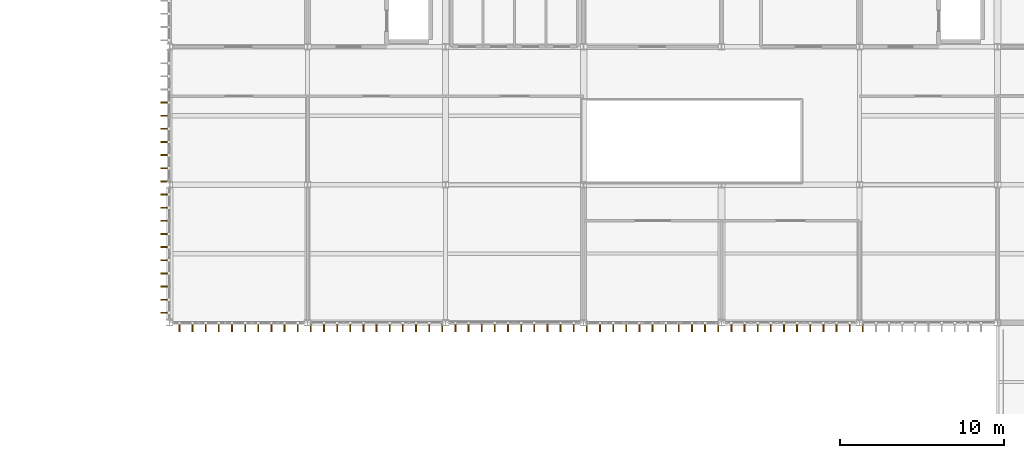
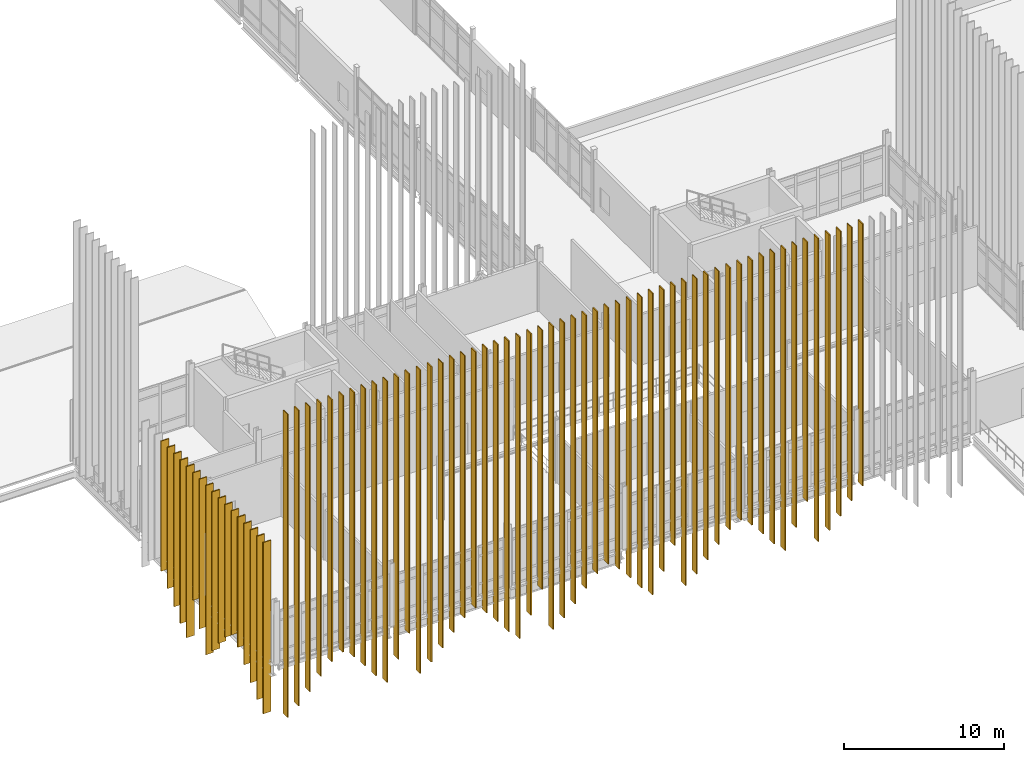
# One storey, part 138 of 153: 70 coverings.
"""IFC4 building model written with IfcOpenShell, lengths in metres."""

from ifc_helpers import new_model, si_unit, direction, frame, origin, origin_2d, place, context, subcontext, project, spatial, rectangle, extrude, material, layer, layer_set, type_object, element, save


model = new_model("IFC4")

# Units and contexts
model_context = context("Model", 3, precision=1e-05, world=origin(), true_north=direction((0.0, 1.0)))
body_context = subcontext(model_context, "Body", "Model", "MODEL_VIEW")
ifc_project = project(units=[si_unit("LENGTHUNIT", "METRE"), si_unit("AREAUNIT", "SQUARE_METRE"), si_unit("VOLUMEUNIT", "CUBIC_METRE"), si_unit("PLANEANGLEUNIT", "RADIAN"), si_unit("MASSUNIT", "GRAM", prefix="KILO")], contexts=[model_context])

# Site, building, storey
site_placement = place(None, origin())
site = spatial("IfcSite", under=ifc_project, at=site_placement, CompositionType="ELEMENT")
building_placement = place(site_placement, origin())
building = spatial("IfcBuilding", under=site, at=building_placement, Name="Calvrana Isthmian Art Gallery", CompositionType="ELEMENT")
storey_placement = place(building_placement, frame((0.0, 0.0, 10.199951171875)))
storey = spatial("IfcBuildingStorey", under=building, at=storey_placement, Name="L02", CompositionType="ELEMENT", Elevation=10.199951171875)

# Coverings
ifc_material = material(Name="Anodized bronze aluminium 6063-T6", Category="aluminium")
ifc_layer = layer(ifc_material, 0.074951171875, Name="Anodized bronze aluminium 6063-T6")
ifc_layer_set = layer_set([ifc_layer], Name="Anodized bronze aluminium 6063-T6")
covering_type = type_object("IfcCoveringType", Name="COV-FIN-550", PredefinedType="CLADDING", material=ifc_layer_set)
covering_1_placement = place(storey_placement, frame((22.199951171875, 21.326904296875, -4.0498046875), z_axis=(0.0, 0.0, 1.0), x_axis=(1.0, 0.0, 0.0)))
element("IfcCovering", 1, at=covering_1_placement, inside=storey, type_object=covering_type, Name="Anodized bronze vertical solar fin FN-001", PredefinedType="CLADDING", context=body_context, shape_type="SweptSolid", body=[
    extrude(rectangle(XDim=0.074951171875, YDim=0.550048828125, at=origin_2d()), origin(), (0.0, 0.0, 1.0), 23.199951171875),
])
covering_2_placement = place(storey_placement, frame((23.0, 21.326904296875, -3.449951171875), z_axis=(0.0, 0.0, 1.0), x_axis=(1.0, 0.0, 0.0)))
element("IfcCovering", 2, at=covering_2_placement, inside=storey, type_object=covering_type, Name="Anodized bronze vertical solar fin FN-002", PredefinedType="CLADDING", context=body_context, shape_type="SweptSolid", body=[
    extrude(rectangle(XDim=0.074951171875, YDim=0.550048828125, at=origin_2d()), origin(), (0.0, 0.0, 1.0), 22.60009765625),
])
covering_3_placement = place(storey_placement, frame((23.800048828125, 21.326904296875, -2.64990234375), z_axis=(0.0, 0.0, 1.0), x_axis=(1.0, 0.0, 0.0)))
element("IfcCovering", 3, at=covering_3_placement, inside=storey, type_object=covering_type, Name="Anodized bronze vertical solar fin FN-003", PredefinedType="CLADDING", context=body_context, shape_type="SweptSolid", body=[
    extrude(rectangle(XDim=0.074951171875, YDim=0.550048828125, at=origin_2d()), origin(), (0.0, 0.0, 1.0), 21.800048828125),
])
covering_4_placement = place(storey_placement, frame((24.60009765625, 21.326904296875, -1.75), z_axis=(0.0, 0.0, 1.0), x_axis=(1.0, 0.0, 0.0)))
element("IfcCovering", 4, at=covering_4_placement, inside=storey, type_object=covering_type, Name="Anodized bronze vertical solar fin FN-004", PredefinedType="CLADDING", context=body_context, shape_type="SweptSolid", body=[
    extrude(rectangle(XDim=0.074951171875, YDim=0.550048828125, at=origin_2d()), origin(), (0.0, 0.0, 1.0), 20.89990234375),
])
covering_5_placement = place(storey_placement, frame((25.39990234375, 21.326904296875, -0.89990234375), z_axis=(0.0, 0.0, 1.0), x_axis=(1.0, 0.0, 0.0)))
element("IfcCovering", 5, at=covering_5_placement, inside=storey, type_object=covering_type, Name="Anodized bronze vertical solar fin FN-005", PredefinedType="CLADDING", context=body_context, shape_type="SweptSolid", body=[
    extrude(rectangle(XDim=0.074951171875, YDim=0.550048828125, at=origin_2d()), origin(), (0.0, 0.0, 1.0), 20.050048828125),
])
covering_6_placement = place(storey_placement, frame((26.199951171875, 21.326904296875, -0.449951171875), z_axis=(0.0, 0.0, 1.0), x_axis=(1.0, 0.0, 0.0)))
element("IfcCovering", 6, at=covering_6_placement, inside=storey, type_object=covering_type, Name="Anodized bronze vertical solar fin FN-006", PredefinedType="CLADDING", context=body_context, shape_type="SweptSolid", body=[
    extrude(rectangle(XDim=0.074951171875, YDim=0.550048828125, at=origin_2d()), origin(), (0.0, 0.0, 1.0), 19.60009765625),
])
covering_7_placement = place(storey_placement, frame((27.0, 21.326904296875, -1.099853515625), z_axis=(0.0, 0.0, 1.0), x_axis=(1.0, 0.0, 0.0)))
element("IfcCovering", 7, at=covering_7_placement, inside=storey, type_object=covering_type, Name="Anodized bronze vertical solar fin FN-007", PredefinedType="CLADDING", context=body_context, shape_type="SweptSolid", body=[
    extrude(rectangle(XDim=0.074951171875, YDim=0.550048828125, at=origin_2d()), origin(), (0.0, 0.0, 1.0), 20.25),
])
covering_8_placement = place(storey_placement, frame((27.800048828125, 21.326904296875, -2.0498046875), z_axis=(0.0, 0.0, 1.0), x_axis=(1.0, 0.0, 0.0)))
element("IfcCovering", 8, at=covering_8_placement, inside=storey, type_object=covering_type, Name="Anodized bronze vertical solar fin FN-008", PredefinedType="CLADDING", context=body_context, shape_type="SweptSolid", body=[
    extrude(rectangle(XDim=0.074951171875, YDim=0.550048828125, at=origin_2d()), origin(), (0.0, 0.0, 1.0), 21.199951171875),
])
covering_9_placement = place(storey_placement, frame((28.60009765625, 21.326904296875, -3.099853515625), z_axis=(0.0, 0.0, 1.0), x_axis=(1.0, 0.0, 0.0)))
element("IfcCovering", 9, at=covering_9_placement, inside=storey, type_object=covering_type, Name="Anodized bronze vertical solar fin FN-009", PredefinedType="CLADDING", context=body_context, shape_type="SweptSolid", body=[
    extrude(rectangle(XDim=0.074951171875, YDim=0.550048828125, at=origin_2d()), origin(), (0.0, 0.0, 1.0), 22.25),
])
covering_10_placement = place(storey_placement, frame((29.39990234375, 21.326904296875, -3.89990234375), z_axis=(0.0, 0.0, 1.0), x_axis=(1.0, 0.0, 0.0)))
element("IfcCovering", 10, at=covering_10_placement, inside=storey, type_object=covering_type, Name="Anodized bronze vertical solar fin FN-010", PredefinedType="CLADDING", context=body_context, shape_type="SweptSolid", body=[
    extrude(rectangle(XDim=0.074951171875, YDim=0.550048828125, at=origin_2d()), origin(), (0.0, 0.0, 1.0), 23.050048828125),
])
covering_11_placement = place(storey_placement, frame((30.199951171875, 21.326904296875, -2.39990234375), z_axis=(0.0, 0.0, 1.0), x_axis=(1.0, 0.0, 0.0)))
element("IfcCovering", 11, at=covering_11_placement, inside=storey, type_object=covering_type, Name="Anodized bronze vertical solar fin FN-011", PredefinedType="CLADDING", context=body_context, shape_type="SweptSolid", body=[
    extrude(rectangle(XDim=0.074951171875, YDim=0.550048828125, at=origin_2d()), origin(), (0.0, 0.0, 1.0), 21.550048828125),
])
covering_12_placement = place(storey_placement, frame((31.0, 21.326904296875, -0.699951171875), z_axis=(0.0, 0.0, 1.0), x_axis=(1.0, 0.0, 0.0)))
element("IfcCovering", 12, at=covering_12_placement, inside=storey, type_object=covering_type, Name="Anodized bronze vertical solar fin FN-012", PredefinedType="CLADDING", context=body_context, shape_type="SweptSolid", body=[
    extrude(rectangle(XDim=0.074951171875, YDim=0.550048828125, at=origin_2d()), origin(), (0.0, 0.0, 1.0), 19.85009765625),
])
covering_13_placement = place(storey_placement, frame((31.800048828125, 21.326904296875, -4.0498046875), z_axis=(0.0, 0.0, 1.0), x_axis=(1.0, 0.0, 0.0)))
element("IfcCovering", 13, at=covering_13_placement, inside=storey, type_object=covering_type, Name="Anodized bronze vertical solar fin FN-013", PredefinedType="CLADDING", context=body_context, shape_type="SweptSolid", body=[
    extrude(rectangle(XDim=0.074951171875, YDim=0.550048828125, at=origin_2d()), origin(), (0.0, 0.0, 1.0), 23.199951171875),
])
covering_14_placement = place(storey_placement, frame((32.60009765625, 21.326904296875, -3.449951171875), z_axis=(0.0, 0.0, 1.0), x_axis=(1.0, 0.0, 0.0)))
element("IfcCovering", 14, at=covering_14_placement, inside=storey, type_object=covering_type, Name="Anodized bronze vertical solar fin FN-014", PredefinedType="CLADDING", context=body_context, shape_type="SweptSolid", body=[
    extrude(rectangle(XDim=0.074951171875, YDim=0.550048828125, at=origin_2d()), origin(), (0.0, 0.0, 1.0), 22.60009765625),
])
covering_15_placement = place(storey_placement, frame((33.39990234375, 21.326904296875, -2.64990234375), z_axis=(0.0, 0.0, 1.0), x_axis=(1.0, 0.0, 0.0)))
element("IfcCovering", 15, at=covering_15_placement, inside=storey, type_object=covering_type, Name="Anodized bronze vertical solar fin FN-015", PredefinedType="CLADDING", context=body_context, shape_type="SweptSolid", body=[
    extrude(rectangle(XDim=0.074951171875, YDim=0.550048828125, at=origin_2d()), origin(), (0.0, 0.0, 1.0), 21.800048828125),
])
covering_16_placement = place(storey_placement, frame((34.199951171875, 21.326904296875, -1.75), z_axis=(0.0, 0.0, 1.0), x_axis=(1.0, 0.0, 0.0)))
element("IfcCovering", 16, at=covering_16_placement, inside=storey, type_object=covering_type, Name="Anodized bronze vertical solar fin FN-016", PredefinedType="CLADDING", context=body_context, shape_type="SweptSolid", body=[
    extrude(rectangle(XDim=0.074951171875, YDim=0.550048828125, at=origin_2d()), origin(), (0.0, 0.0, 1.0), 20.89990234375),
])
covering_17_placement = place(storey_placement, frame((35.0, 21.326904296875, -0.89990234375), z_axis=(0.0, 0.0, 1.0), x_axis=(1.0, 0.0, 0.0)))
element("IfcCovering", 17, at=covering_17_placement, inside=storey, type_object=covering_type, Name="Anodized bronze vertical solar fin FN-017", PredefinedType="CLADDING", context=body_context, shape_type="SweptSolid", body=[
    extrude(rectangle(XDim=0.074951171875, YDim=0.550048828125, at=origin_2d()), origin(), (0.0, 0.0, 1.0), 20.050048828125),
])
covering_18_placement = place(storey_placement, frame((35.800048828125, 21.326904296875, -0.449951171875), z_axis=(0.0, 0.0, 1.0), x_axis=(1.0, 0.0, 0.0)))
element("IfcCovering", 18, at=covering_18_placement, inside=storey, type_object=covering_type, Name="Anodized bronze vertical solar fin FN-018", PredefinedType="CLADDING", context=body_context, shape_type="SweptSolid", body=[
    extrude(rectangle(XDim=0.074951171875, YDim=0.550048828125, at=origin_2d()), origin(), (0.0, 0.0, 1.0), 19.60009765625),
])
covering_19_placement = place(storey_placement, frame((36.60009765625, 21.326904296875, -1.099853515625), z_axis=(0.0, 0.0, 1.0), x_axis=(1.0, 0.0, 0.0)))
element("IfcCovering", 19, at=covering_19_placement, inside=storey, type_object=covering_type, Name="Anodized bronze vertical solar fin FN-019", PredefinedType="CLADDING", context=body_context, shape_type="SweptSolid", body=[
    extrude(rectangle(XDim=0.074951171875, YDim=0.550048828125, at=origin_2d()), origin(), (0.0, 0.0, 1.0), 20.25),
])
covering_20_placement = place(storey_placement, frame((37.39990234375, 21.326904296875, -2.0498046875), z_axis=(0.0, 0.0, 1.0), x_axis=(1.0, 0.0, 0.0)))
element("IfcCovering", 20, at=covering_20_placement, inside=storey, type_object=covering_type, Name="Anodized bronze vertical solar fin FN-020", PredefinedType="CLADDING", context=body_context, shape_type="SweptSolid", body=[
    extrude(rectangle(XDim=0.074951171875, YDim=0.550048828125, at=origin_2d()), origin(), (0.0, 0.0, 1.0), 21.199951171875),
])
covering_21_placement = place(storey_placement, frame((38.199951171875, 21.326904296875, -3.099853515625), z_axis=(0.0, 0.0, 1.0), x_axis=(1.0, 0.0, 0.0)))
element("IfcCovering", 21, at=covering_21_placement, inside=storey, type_object=covering_type, Name="Anodized bronze vertical solar fin FN-021", PredefinedType="CLADDING", context=body_context, shape_type="SweptSolid", body=[
    extrude(rectangle(XDim=0.074951171875, YDim=0.550048828125, at=origin_2d()), origin(), (0.0, 0.0, 1.0), 22.25),
])
covering_22_placement = place(storey_placement, frame((39.0, 21.326904296875, -3.89990234375), z_axis=(0.0, 0.0, 1.0), x_axis=(1.0, 0.0, 0.0)))
element("IfcCovering", 22, at=covering_22_placement, inside=storey, type_object=covering_type, Name="Anodized bronze vertical solar fin FN-022", PredefinedType="CLADDING", context=body_context, shape_type="SweptSolid", body=[
    extrude(rectangle(XDim=0.074951171875, YDim=0.550048828125, at=origin_2d()), origin(), (0.0, 0.0, 1.0), 23.050048828125),
])
covering_23_placement = place(storey_placement, frame((39.800048828125, 21.326904296875, -2.39990234375), z_axis=(0.0, 0.0, 1.0), x_axis=(1.0, 0.0, 0.0)))
element("IfcCovering", 23, at=covering_23_placement, inside=storey, type_object=covering_type, Name="Anodized bronze vertical solar fin FN-023", PredefinedType="CLADDING", context=body_context, shape_type="SweptSolid", body=[
    extrude(rectangle(XDim=0.074951171875, YDim=0.550048828125, at=origin_2d()), origin(), (0.0, 0.0, 1.0), 21.550048828125),
])
covering_24_placement = place(storey_placement, frame((40.60009765625, 21.326904296875, -0.699951171875), z_axis=(0.0, 0.0, 1.0), x_axis=(1.0, 0.0, 0.0)))
element("IfcCovering", 24, at=covering_24_placement, inside=storey, type_object=covering_type, Name="Anodized bronze vertical solar fin FN-024", PredefinedType="CLADDING", context=body_context, shape_type="SweptSolid", body=[
    extrude(rectangle(XDim=0.074951171875, YDim=0.550048828125, at=origin_2d()), origin(), (0.0, 0.0, 1.0), 19.85009765625),
])
covering_25_placement = place(storey_placement, frame((41.39990234375, 21.326904296875, -4.0498046875), z_axis=(0.0, 0.0, 1.0), x_axis=(1.0, 0.0, 0.0)))
element("IfcCovering", 25, at=covering_25_placement, inside=storey, type_object=covering_type, Name="Anodized bronze vertical solar fin FN-025", PredefinedType="CLADDING", context=body_context, shape_type="SweptSolid", body=[
    extrude(rectangle(XDim=0.074951171875, YDim=0.550048828125, at=origin_2d()), origin(), (0.0, 0.0, 1.0), 23.199951171875),
])
covering_26_placement = place(storey_placement, frame((42.199951171875, 21.326904296875, -3.449951171875), z_axis=(0.0, 0.0, 1.0), x_axis=(1.0, 0.0, 0.0)))
element("IfcCovering", 26, at=covering_26_placement, inside=storey, type_object=covering_type, Name="Anodized bronze vertical solar fin FN-026", PredefinedType="CLADDING", context=body_context, shape_type="SweptSolid", body=[
    extrude(rectangle(XDim=0.074951171875, YDim=0.550048828125, at=origin_2d()), origin(), (0.0, 0.0, 1.0), 22.60009765625),
])
covering_27_placement = place(storey_placement, frame((43.0, 21.326904296875, -2.64990234375), z_axis=(0.0, 0.0, 1.0), x_axis=(1.0, 0.0, 0.0)))
element("IfcCovering", 27, at=covering_27_placement, inside=storey, type_object=covering_type, Name="Anodized bronze vertical solar fin FN-027", PredefinedType="CLADDING", context=body_context, shape_type="SweptSolid", body=[
    extrude(rectangle(XDim=0.074951171875, YDim=0.550048828125, at=origin_2d()), origin(), (0.0, 0.0, 1.0), 21.800048828125),
])
covering_28_placement = place(storey_placement, frame((43.800048828125, 21.326904296875, -1.75), z_axis=(0.0, 0.0, 1.0), x_axis=(1.0, 0.0, 0.0)))
element("IfcCovering", 28, at=covering_28_placement, inside=storey, type_object=covering_type, Name="Anodized bronze vertical solar fin FN-028", PredefinedType="CLADDING", context=body_context, shape_type="SweptSolid", body=[
    extrude(rectangle(XDim=0.074951171875, YDim=0.550048828125, at=origin_2d()), origin(), (0.0, 0.0, 1.0), 20.89990234375),
])
covering_29_placement = place(storey_placement, frame((44.60009765625, 21.326904296875, -0.89990234375), z_axis=(0.0, 0.0, 1.0), x_axis=(1.0, 0.0, 0.0)))
element("IfcCovering", 29, at=covering_29_placement, inside=storey, type_object=covering_type, Name="Anodized bronze vertical solar fin FN-029", PredefinedType="CLADDING", context=body_context, shape_type="SweptSolid", body=[
    extrude(rectangle(XDim=0.074951171875, YDim=0.550048828125, at=origin_2d()), origin(), (0.0, 0.0, 1.0), 20.050048828125),
])
covering_30_placement = place(storey_placement, frame((45.39990234375, 21.326904296875, -0.449951171875), z_axis=(0.0, 0.0, 1.0), x_axis=(1.0, 0.0, 0.0)))
element("IfcCovering", 30, at=covering_30_placement, inside=storey, type_object=covering_type, Name="Anodized bronze vertical solar fin FN-030", PredefinedType="CLADDING", context=body_context, shape_type="SweptSolid", body=[
    extrude(rectangle(XDim=0.074951171875, YDim=0.550048828125, at=origin_2d()), origin(), (0.0, 0.0, 1.0), 19.60009765625),
])
covering_31_placement = place(storey_placement, frame((46.199951171875, 21.326904296875, -1.099853515625), z_axis=(0.0, 0.0, 1.0), x_axis=(1.0, 0.0, 0.0)))
element("IfcCovering", 31, at=covering_31_placement, inside=storey, type_object=covering_type, Name="Anodized bronze vertical solar fin FN-031", PredefinedType="CLADDING", context=body_context, shape_type="SweptSolid", body=[
    extrude(rectangle(XDim=0.074951171875, YDim=0.550048828125, at=origin_2d()), origin(), (0.0, 0.0, 1.0), 20.25),
])
covering_32_placement = place(storey_placement, frame((47.0, 21.326904296875, -2.0498046875), z_axis=(0.0, 0.0, 1.0), x_axis=(1.0, 0.0, 0.0)))
element("IfcCovering", 32, at=covering_32_placement, inside=storey, type_object=covering_type, Name="Anodized bronze vertical solar fin FN-032", PredefinedType="CLADDING", context=body_context, shape_type="SweptSolid", body=[
    extrude(rectangle(XDim=0.074951171875, YDim=0.550048828125, at=origin_2d()), origin(), (0.0, 0.0, 1.0), 21.199951171875),
])
covering_33_placement = place(storey_placement, frame((47.800048828125, 21.326904296875, -3.099853515625), z_axis=(0.0, 0.0, 1.0), x_axis=(1.0, 0.0, 0.0)))
element("IfcCovering", 33, at=covering_33_placement, inside=storey, type_object=covering_type, Name="Anodized bronze vertical solar fin FN-033", PredefinedType="CLADDING", context=body_context, shape_type="SweptSolid", body=[
    extrude(rectangle(XDim=0.074951171875, YDim=0.550048828125, at=origin_2d()), origin(), (0.0, 0.0, 1.0), 22.25),
])
covering_34_placement = place(storey_placement, frame((48.60009765625, 21.326904296875, -3.89990234375), z_axis=(0.0, 0.0, 1.0), x_axis=(1.0, 0.0, 0.0)))
element("IfcCovering", 34, at=covering_34_placement, inside=storey, type_object=covering_type, Name="Anodized bronze vertical solar fin FN-034", PredefinedType="CLADDING", context=body_context, shape_type="SweptSolid", body=[
    extrude(rectangle(XDim=0.074951171875, YDim=0.550048828125, at=origin_2d()), origin(), (0.0, 0.0, 1.0), 23.050048828125),
])
covering_35_placement = place(storey_placement, frame((49.39990234375, 21.326904296875, -2.39990234375), z_axis=(0.0, 0.0, 1.0), x_axis=(1.0, 0.0, 0.0)))
element("IfcCovering", 35, at=covering_35_placement, inside=storey, type_object=covering_type, Name="Anodized bronze vertical solar fin FN-035", PredefinedType="CLADDING", context=body_context, shape_type="SweptSolid", body=[
    extrude(rectangle(XDim=0.074951171875, YDim=0.550048828125, at=origin_2d()), origin(), (0.0, 0.0, 1.0), 21.550048828125),
])
covering_36_placement = place(storey_placement, frame((50.199951171875, 21.326904296875, -0.699951171875), z_axis=(0.0, 0.0, 1.0), x_axis=(1.0, 0.0, 0.0)))
element("IfcCovering", 36, at=covering_36_placement, inside=storey, type_object=covering_type, Name="Anodized bronze vertical solar fin FN-036", PredefinedType="CLADDING", context=body_context, shape_type="SweptSolid", body=[
    extrude(rectangle(XDim=0.074951171875, YDim=0.550048828125, at=origin_2d()), origin(), (0.0, 0.0, 1.0), 19.85009765625),
])
covering_37_placement = place(storey_placement, frame((51.0, 21.326904296875, -4.0498046875), z_axis=(0.0, 0.0, 1.0), x_axis=(1.0, 0.0, 0.0)))
element("IfcCovering", 37, at=covering_37_placement, inside=storey, type_object=covering_type, Name="Anodized bronze vertical solar fin FN-037", PredefinedType="CLADDING", context=body_context, shape_type="SweptSolid", body=[
    extrude(rectangle(XDim=0.074951171875, YDim=0.550048828125, at=origin_2d()), origin(), (0.0, 0.0, 1.0), 23.199951171875),
])
covering_38_placement = place(storey_placement, frame((51.800048828125, 21.326904296875, -3.449951171875), z_axis=(0.0, 0.0, 1.0), x_axis=(1.0, 0.0, 0.0)))
element("IfcCovering", 38, at=covering_38_placement, inside=storey, type_object=covering_type, Name="Anodized bronze vertical solar fin FN-038", PredefinedType="CLADDING", context=body_context, shape_type="SweptSolid", body=[
    extrude(rectangle(XDim=0.074951171875, YDim=0.550048828125, at=origin_2d()), origin(), (0.0, 0.0, 1.0), 22.60009765625),
])
covering_39_placement = place(storey_placement, frame((52.60009765625, 21.326904296875, -2.64990234375), z_axis=(0.0, 0.0, 1.0), x_axis=(1.0, 0.0, 0.0)))
element("IfcCovering", 39, at=covering_39_placement, inside=storey, type_object=covering_type, Name="Anodized bronze vertical solar fin FN-039", PredefinedType="CLADDING", context=body_context, shape_type="SweptSolid", body=[
    extrude(rectangle(XDim=0.074951171875, YDim=0.550048828125, at=origin_2d()), origin(), (0.0, 0.0, 1.0), 21.800048828125),
])
covering_40_placement = place(storey_placement, frame((53.39990234375, 21.326904296875, -1.75), z_axis=(0.0, 0.0, 1.0), x_axis=(1.0, 0.0, 0.0)))
element("IfcCovering", 40, at=covering_40_placement, inside=storey, type_object=covering_type, Name="Anodized bronze vertical solar fin FN-040", PredefinedType="CLADDING", context=body_context, shape_type="SweptSolid", body=[
    extrude(rectangle(XDim=0.074951171875, YDim=0.550048828125, at=origin_2d()), origin(), (0.0, 0.0, 1.0), 20.89990234375),
])
covering_41_placement = place(storey_placement, frame((54.199951171875, 21.326904296875, -0.89990234375), z_axis=(0.0, 0.0, 1.0), x_axis=(1.0, 0.0, 0.0)))
element("IfcCovering", 41, at=covering_41_placement, inside=storey, type_object=covering_type, Name="Anodized bronze vertical solar fin FN-041", PredefinedType="CLADDING", context=body_context, shape_type="SweptSolid", body=[
    extrude(rectangle(XDim=0.074951171875, YDim=0.550048828125, at=origin_2d()), origin(), (0.0, 0.0, 1.0), 20.050048828125),
])
covering_42_placement = place(storey_placement, frame((55.0, 21.326904296875, -0.449951171875), z_axis=(0.0, 0.0, 1.0), x_axis=(1.0, 0.0, 0.0)))
element("IfcCovering", 42, at=covering_42_placement, inside=storey, type_object=covering_type, Name="Anodized bronze vertical solar fin FN-042", PredefinedType="CLADDING", context=body_context, shape_type="SweptSolid", body=[
    extrude(rectangle(XDim=0.074951171875, YDim=0.550048828125, at=origin_2d()), origin(), (0.0, 0.0, 1.0), 19.60009765625),
])
covering_43_placement = place(storey_placement, frame((55.800048828125, 21.326904296875, -1.099853515625), z_axis=(0.0, 0.0, 1.0), x_axis=(1.0, 0.0, 0.0)))
element("IfcCovering", 43, at=covering_43_placement, inside=storey, type_object=covering_type, Name="Anodized bronze vertical solar fin FN-043", PredefinedType="CLADDING", context=body_context, shape_type="SweptSolid", body=[
    extrude(rectangle(XDim=0.074951171875, YDim=0.550048828125, at=origin_2d()), origin(), (0.0, 0.0, 1.0), 20.25),
])
covering_44_placement = place(storey_placement, frame((56.60009765625, 21.326904296875, -2.0498046875), z_axis=(0.0, 0.0, 1.0), x_axis=(1.0, 0.0, 0.0)))
element("IfcCovering", 44, at=covering_44_placement, inside=storey, type_object=covering_type, Name="Anodized bronze vertical solar fin FN-044", PredefinedType="CLADDING", context=body_context, shape_type="SweptSolid", body=[
    extrude(rectangle(XDim=0.074951171875, YDim=0.550048828125, at=origin_2d()), origin(), (0.0, 0.0, 1.0), 21.199951171875),
])
covering_45_placement = place(storey_placement, frame((57.39990234375, 21.326904296875, -3.099853515625), z_axis=(0.0, 0.0, 1.0), x_axis=(1.0, 0.0, 0.0)))
element("IfcCovering", 45, at=covering_45_placement, inside=storey, type_object=covering_type, Name="Anodized bronze vertical solar fin FN-045", PredefinedType="CLADDING", context=body_context, shape_type="SweptSolid", body=[
    extrude(rectangle(XDim=0.074951171875, YDim=0.550048828125, at=origin_2d()), origin(), (0.0, 0.0, 1.0), 22.25),
])
covering_46_placement = place(storey_placement, frame((58.199951171875, 21.326904296875, -3.89990234375), z_axis=(0.0, 0.0, 1.0), x_axis=(1.0, 0.0, 0.0)))
element("IfcCovering", 46, at=covering_46_placement, inside=storey, type_object=covering_type, Name="Anodized bronze vertical solar fin FN-046", PredefinedType="CLADDING", context=body_context, shape_type="SweptSolid", body=[
    extrude(rectangle(XDim=0.074951171875, YDim=0.550048828125, at=origin_2d()), origin(), (0.0, 0.0, 1.0), 23.050048828125),
])
covering_47_placement = place(storey_placement, frame((59.0, 21.326904296875, -2.39990234375), z_axis=(0.0, 0.0, 1.0), x_axis=(1.0, 0.0, 0.0)))
element("IfcCovering", 47, at=covering_47_placement, inside=storey, type_object=covering_type, Name="Anodized bronze vertical solar fin FN-047", PredefinedType="CLADDING", context=body_context, shape_type="SweptSolid", body=[
    extrude(rectangle(XDim=0.074951171875, YDim=0.550048828125, at=origin_2d()), origin(), (0.0, 0.0, 1.0), 21.550048828125),
])
covering_48_placement = place(storey_placement, frame((59.800048828125, 21.326904296875, -0.699951171875), z_axis=(0.0, 0.0, 1.0), x_axis=(1.0, 0.0, 0.0)))
element("IfcCovering", 48, at=covering_48_placement, inside=storey, type_object=covering_type, Name="Anodized bronze vertical solar fin FN-048", PredefinedType="CLADDING", context=body_context, shape_type="SweptSolid", body=[
    extrude(rectangle(XDim=0.074951171875, YDim=0.550048828125, at=origin_2d()), origin(), (0.0, 0.0, 1.0), 19.85009765625),
])
covering_49_placement = place(storey_placement, frame((60.60009765625, 21.326904296875, -4.0498046875), z_axis=(0.0, 0.0, 1.0), x_axis=(1.0, 0.0, 0.0)))
element("IfcCovering", 49, at=covering_49_placement, inside=storey, type_object=covering_type, Name="Anodized bronze vertical solar fin FN-049", PredefinedType="CLADDING", context=body_context, shape_type="SweptSolid", body=[
    extrude(rectangle(XDim=0.074951171875, YDim=0.550048828125, at=origin_2d()), origin(), (0.0, 0.0, 1.0), 23.199951171875),
])
covering_50_placement = place(storey_placement, frame((61.39990234375, 21.326904296875, -3.449951171875), z_axis=(0.0, 0.0, 1.0), x_axis=(1.0, 0.0, 0.0)))
element("IfcCovering", 50, at=covering_50_placement, inside=storey, type_object=covering_type, Name="Anodized bronze vertical solar fin FN-050", PredefinedType="CLADDING", context=body_context, shape_type="SweptSolid", body=[
    extrude(rectangle(XDim=0.074951171875, YDim=0.550048828125, at=origin_2d()), origin(), (0.0, 0.0, 1.0), 22.60009765625),
])
covering_51_placement = place(storey_placement, frame((62.199951171875, 21.326904296875, -2.64990234375), z_axis=(0.0, 0.0, 1.0), x_axis=(1.0, 0.0, 0.0)))
element("IfcCovering", 51, at=covering_51_placement, inside=storey, type_object=covering_type, Name="Anodized bronze vertical solar fin FN-051", PredefinedType="CLADDING", context=body_context, shape_type="SweptSolid", body=[
    extrude(rectangle(XDim=0.074951171875, YDim=0.550048828125, at=origin_2d()), origin(), (0.0, 0.0, 1.0), 21.800048828125),
])
covering_52_placement = place(storey_placement, frame((63.0, 21.326904296875, -1.75), z_axis=(0.0, 0.0, 1.0), x_axis=(1.0, 0.0, 0.0)))
element("IfcCovering", 52, at=covering_52_placement, inside=storey, type_object=covering_type, Name="Anodized bronze vertical solar fin FN-052", PredefinedType="CLADDING", context=body_context, shape_type="SweptSolid", body=[
    extrude(rectangle(XDim=0.074951171875, YDim=0.550048828125, at=origin_2d()), origin(), (0.0, 0.0, 1.0), 20.89990234375),
])
covering_53_placement = place(storey_placement, frame((63.800048828125, 21.326904296875, -0.89990234375), z_axis=(0.0, 0.0, 1.0), x_axis=(1.0, 0.0, 0.0)))
element("IfcCovering", 53, at=covering_53_placement, inside=storey, type_object=covering_type, Name="Anodized bronze vertical solar fin FN-053", PredefinedType="CLADDING", context=body_context, shape_type="SweptSolid", body=[
    extrude(rectangle(XDim=0.074951171875, YDim=0.550048828125, at=origin_2d()), origin(), (0.0, 0.0, 1.0), 20.050048828125),
])
covering_54_placement = place(storey_placement, frame((21.326904296875, 22.199951171875, -4.050048828125), z_axis=(0.0, 0.0, 1.0), x_axis=(1.0, 0.0, 0.0)))
element("IfcCovering", 54, at=covering_54_placement, inside=storey, type_object=covering_type, Name="Anodized bronze vertical solar fin FN-173", PredefinedType="CLADDING", context=body_context, shape_type="SweptSolid", body=[
    extrude(rectangle(XDim=0.550048828125, YDim=0.074951171875, at=origin_2d()), origin(), (0.0, 0.0, 1.0), 13.10009765625),
])
covering_55_placement = place(storey_placement, frame((21.326904296875, 23.0, -3.449951171875), z_axis=(0.0, 0.0, 1.0), x_axis=(1.0, 0.0, 0.0)))
element("IfcCovering", 55, at=covering_55_placement, inside=storey, type_object=covering_type, Name="Anodized bronze vertical solar fin FN-174", PredefinedType="CLADDING", context=body_context, shape_type="SweptSolid", body=[
    extrude(rectangle(XDim=0.550048828125, YDim=0.074951171875, at=origin_2d()), origin(), (0.0, 0.0, 1.0), 12.5),
])
covering_56_placement = place(storey_placement, frame((21.326904296875, 23.800048828125, -2.64990234375), z_axis=(0.0, 0.0, 1.0), x_axis=(1.0, 0.0, 0.0)))
element("IfcCovering", 56, at=covering_56_placement, inside=storey, type_object=covering_type, Name="Anodized bronze vertical solar fin FN-175", PredefinedType="CLADDING", context=body_context, shape_type="SweptSolid", body=[
    extrude(rectangle(XDim=0.550048828125, YDim=0.074951171875, at=origin_2d()), origin(), (0.0, 0.0, 1.0), 11.699951171875),
])
covering_57_placement = place(storey_placement, frame((21.326904296875, 24.60009765625, -1.75), z_axis=(0.0, 0.0, 1.0), x_axis=(1.0, 0.0, 0.0)))
element("IfcCovering", 57, at=covering_57_placement, inside=storey, type_object=covering_type, Name="Anodized bronze vertical solar fin FN-176", PredefinedType="CLADDING", context=body_context, shape_type="SweptSolid", body=[
    extrude(rectangle(XDim=0.550048828125, YDim=0.074951171875, at=origin_2d()), origin(), (0.0, 0.0, 1.0), 10.800048828125),
])
covering_58_placement = place(storey_placement, frame((21.326904296875, 25.39990234375, -0.89990234375), z_axis=(0.0, 0.0, 1.0), x_axis=(1.0, 0.0, 0.0)))
element("IfcCovering", 58, at=covering_58_placement, inside=storey, type_object=covering_type, Name="Anodized bronze vertical solar fin FN-177", PredefinedType="CLADDING", context=body_context, shape_type="SweptSolid", body=[
    extrude(rectangle(XDim=0.550048828125, YDim=0.074951171875, at=origin_2d()), origin(), (0.0, 0.0, 1.0), 9.949951171875),
])
covering_59_placement = place(storey_placement, frame((21.326904296875, 26.199951171875, -0.449951171875), z_axis=(0.0, 0.0, 1.0), x_axis=(1.0, 0.0, 0.0)))
element("IfcCovering", 59, at=covering_59_placement, inside=storey, type_object=covering_type, Name="Anodized bronze vertical solar fin FN-178", PredefinedType="CLADDING", context=body_context, shape_type="SweptSolid", body=[
    extrude(rectangle(XDim=0.550048828125, YDim=0.074951171875, at=origin_2d()), origin(), (0.0, 0.0, 1.0), 9.5),
])
covering_60_placement = place(storey_placement, frame((21.326904296875, 27.0, -1.099853515625), z_axis=(0.0, 0.0, 1.0), x_axis=(1.0, 0.0, 0.0)))
element("IfcCovering", 60, at=covering_60_placement, inside=storey, type_object=covering_type, Name="Anodized bronze vertical solar fin FN-179", PredefinedType="CLADDING", context=body_context, shape_type="SweptSolid", body=[
    extrude(rectangle(XDim=0.550048828125, YDim=0.074951171875, at=origin_2d()), origin(), (0.0, 0.0, 1.0), 10.14990234375),
])
covering_61_placement = place(storey_placement, frame((21.326904296875, 27.800048828125, -2.050048828125), z_axis=(0.0, 0.0, 1.0), x_axis=(1.0, 0.0, 0.0)))
element("IfcCovering", 61, at=covering_61_placement, inside=storey, type_object=covering_type, Name="Anodized bronze vertical solar fin FN-180", PredefinedType="CLADDING", context=body_context, shape_type="SweptSolid", body=[
    extrude(rectangle(XDim=0.550048828125, YDim=0.074951171875, at=origin_2d()), origin(), (0.0, 0.0, 1.0), 11.10009765625),
])
covering_62_placement = place(storey_placement, frame((21.326904296875, 28.60009765625, -3.099853515625), z_axis=(0.0, 0.0, 1.0), x_axis=(1.0, 0.0, 0.0)))
element("IfcCovering", 62, at=covering_62_placement, inside=storey, type_object=covering_type, Name="Anodized bronze vertical solar fin FN-181", PredefinedType="CLADDING", context=body_context, shape_type="SweptSolid", body=[
    extrude(rectangle(XDim=0.550048828125, YDim=0.074951171875, at=origin_2d()), origin(), (0.0, 0.0, 1.0), 12.14990234375),
])
covering_63_placement = place(storey_placement, frame((21.326904296875, 29.39990234375, -3.89990234375), z_axis=(0.0, 0.0, 1.0), x_axis=(1.0, 0.0, 0.0)))
element("IfcCovering", 63, at=covering_63_placement, inside=storey, type_object=covering_type, Name="Anodized bronze vertical solar fin FN-182", PredefinedType="CLADDING", context=body_context, shape_type="SweptSolid", body=[
    extrude(rectangle(XDim=0.550048828125, YDim=0.074951171875, at=origin_2d()), origin(), (0.0, 0.0, 1.0), 12.949951171875),
])
covering_64_placement = place(storey_placement, frame((21.326904296875, 30.199951171875, -2.39990234375), z_axis=(0.0, 0.0, 1.0), x_axis=(1.0, 0.0, 0.0)))
element("IfcCovering", 64, at=covering_64_placement, inside=storey, type_object=covering_type, Name="Anodized bronze vertical solar fin FN-183", PredefinedType="CLADDING", context=body_context, shape_type="SweptSolid", body=[
    extrude(rectangle(XDim=0.550048828125, YDim=0.074951171875, at=origin_2d()), origin(), (0.0, 0.0, 1.0), 11.449951171875),
])
covering_65_placement = place(storey_placement, frame((21.326904296875, 31.0, -0.699951171875), z_axis=(0.0, 0.0, 1.0), x_axis=(1.0, 0.0, 0.0)))
element("IfcCovering", 65, at=covering_65_placement, inside=storey, type_object=covering_type, Name="Anodized bronze vertical solar fin FN-184", PredefinedType="CLADDING", context=body_context, shape_type="SweptSolid", body=[
    extrude(rectangle(XDim=0.550048828125, YDim=0.074951171875, at=origin_2d()), origin(), (0.0, 0.0, 1.0), 9.75),
])
covering_66_placement = place(storey_placement, frame((21.326904296875, 31.800048828125, -4.050048828125), z_axis=(0.0, 0.0, 1.0), x_axis=(1.0, 0.0, 0.0)))
element("IfcCovering", 66, at=covering_66_placement, inside=storey, type_object=covering_type, Name="Anodized bronze vertical solar fin FN-185", PredefinedType="CLADDING", context=body_context, shape_type="SweptSolid", body=[
    extrude(rectangle(XDim=0.550048828125, YDim=0.074951171875, at=origin_2d()), origin(), (0.0, 0.0, 1.0), 13.10009765625),
])
covering_67_placement = place(storey_placement, frame((21.326904296875, 32.60009765625, -3.449951171875), z_axis=(0.0, 0.0, 1.0), x_axis=(1.0, 0.0, 0.0)))
element("IfcCovering", 67, at=covering_67_placement, inside=storey, type_object=covering_type, Name="Anodized bronze vertical solar fin FN-186", PredefinedType="CLADDING", context=body_context, shape_type="SweptSolid", body=[
    extrude(rectangle(XDim=0.550048828125, YDim=0.074951171875, at=origin_2d()), origin(), (0.0, 0.0, 1.0), 12.5),
])
covering_68_placement = place(storey_placement, frame((21.326904296875, 33.39990234375, -2.64990234375), z_axis=(0.0, 0.0, 1.0), x_axis=(1.0, 0.0, 0.0)))
element("IfcCovering", 68, at=covering_68_placement, inside=storey, type_object=covering_type, Name="Anodized bronze vertical solar fin FN-187", PredefinedType="CLADDING", context=body_context, shape_type="SweptSolid", body=[
    extrude(rectangle(XDim=0.550048828125, YDim=0.074951171875, at=origin_2d()), origin(), (0.0, 0.0, 1.0), 11.699951171875),
])
covering_69_placement = place(storey_placement, frame((21.326904296875, 34.199951171875, -1.75), z_axis=(0.0, 0.0, 1.0), x_axis=(1.0, 0.0, 0.0)))
element("IfcCovering", 69, at=covering_69_placement, inside=storey, type_object=covering_type, Name="Anodized bronze vertical solar fin FN-188", PredefinedType="CLADDING", context=body_context, shape_type="SweptSolid", body=[
    extrude(rectangle(XDim=0.550048828125, YDim=0.074951171875, at=origin_2d()), origin(), (0.0, 0.0, 1.0), 10.800048828125),
])
covering_70_placement = place(storey_placement, frame((21.326904296875, 35.0, -0.89990234375), z_axis=(0.0, 0.0, 1.0), x_axis=(1.0, 0.0, 0.0)))
element("IfcCovering", 70, at=covering_70_placement, inside=storey, type_object=covering_type, Name="Anodized bronze vertical solar fin FN-189", PredefinedType="CLADDING", context=body_context, shape_type="SweptSolid", body=[
    extrude(rectangle(XDim=0.550048828125, YDim=0.074951171875, at=origin_2d()), origin(), (0.0, 0.0, 1.0), 9.949951171875),
])

save(model, "model.ifc")
